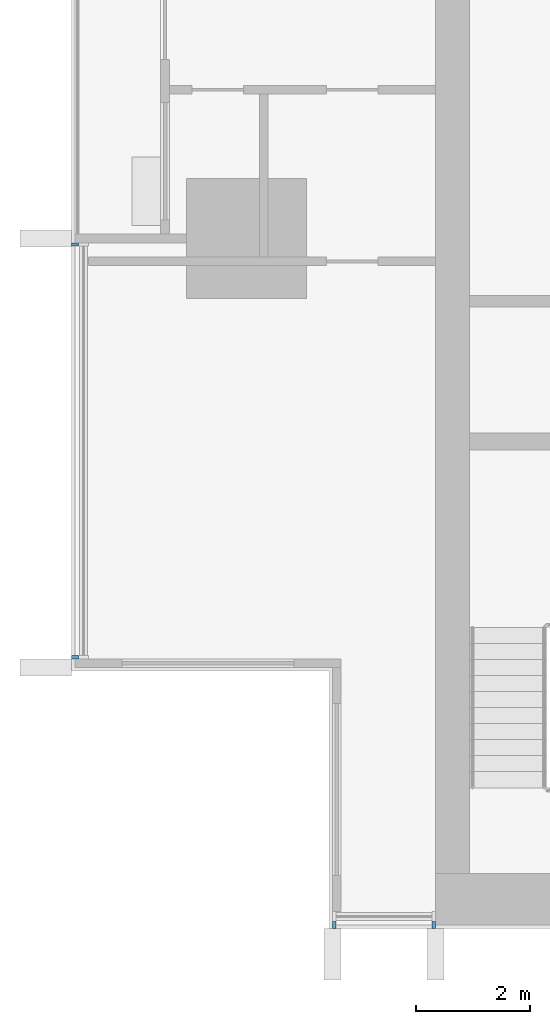
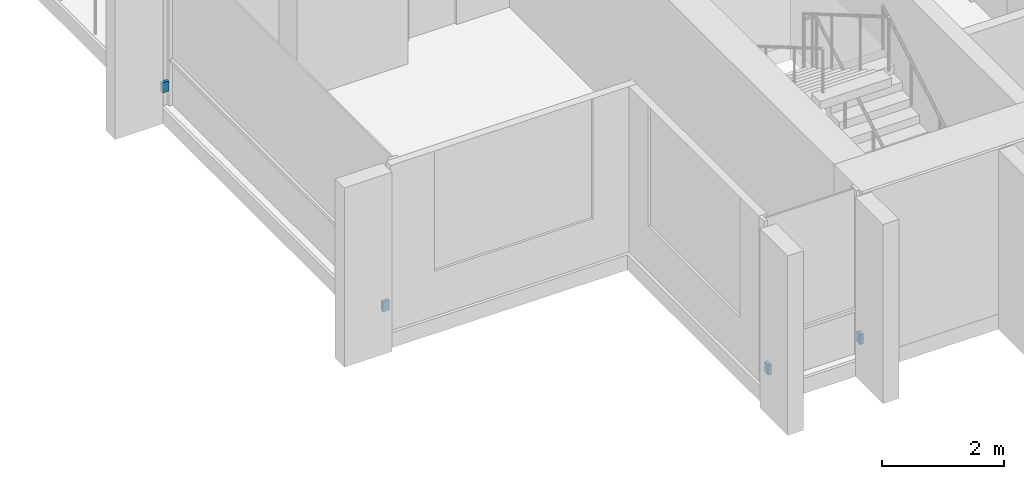
# One storey, part 12 of 16: 4 discrete accessories.
"""IFC4 building model written with IfcOpenShell, lengths in metres."""

from ifc_helpers import new_model, si_unit, direction, frame, origin, origin_2d, place, context, subcontext, project, spatial, rectangle, extrude, material, type_object, element, save


model = new_model("IFC4")

# Units and contexts
model_context = context("Model", 3, precision=1e-05, world=origin(), true_north=direction((0.0, 1.0)))
body_context = subcontext(model_context, "Body", "Model", "MODEL_VIEW")
ifc_project = project(units=[si_unit("LENGTHUNIT", "METRE"), si_unit("AREAUNIT", "SQUARE_METRE"), si_unit("VOLUMEUNIT", "CUBIC_METRE"), si_unit("PLANEANGLEUNIT", "RADIAN"), si_unit("MASSUNIT", "GRAM", prefix="KILO")], contexts=[model_context])

# Site, building, storey
site_placement = place(None, origin())
site = spatial("IfcSite", under=ifc_project, at=site_placement, CompositionType="ELEMENT")
building_placement = place(site_placement, origin())
building = spatial("IfcBuilding", under=site, at=building_placement, Name="Finial Court Residences", CompositionType="ELEMENT")
storey_placement = place(building_placement, frame((0.0, 0.0, 215.89990234375)))
storey = spatial("IfcBuildingStorey", under=building, at=storey_placement, Name="L54", CompositionType="ELEMENT", Elevation=215.89990234375)

# Discrete accessories
ifc_material = material(Name="Stainless steel 316", Category="steel")
discrete_accessory_type = type_object("IfcDiscreteAccessoryType", Name="Fin bracket, stainless steel 60 x 122 x 200", PredefinedType="BRACKET", material=ifc_material)
for number, where, z_axis, x_axis, name in (
    (1, (-14.969970703125, -25.498779296875, 0.30029296875), (0.0, 0.0, 1.0), (1.0, 0.0, 0.0), "E-L54-FIN-S13-BRK"),
    (2, (-13.22998046875, -25.498779296875, 0.30029296875), (0.0, 0.0, 1.0), (1.0, 0.0, 0.0), "E-L54-FIN-S14-BRK"),
):
    element("IfcDiscreteAccessory", number, at=place(storey_placement, frame(where, z_axis=z_axis, x_axis=x_axis)), inside=storey, type_object=discrete_accessory_type, Name=name, PredefinedType="BRACKET", context=body_context, shape_type="SweptSolid", body=[
        extrude(rectangle(XDim=0.06005859375, YDim=0.12255859375, at=origin_2d()), origin(), (0.0, 0.0, 1.0), 0.199951171875),
    ])
for number, where, z_axis, x_axis, name in (
    (3, (-19.498779296875, -20.820068359375, 0.30029296875), (0.0, 0.0, 1.0), (1.0, 0.0, 0.0), "E-L54-FIN-W21-BRK"),
    (4, (-19.498779296875, -13.60498046875, 0.30029296875), (0.0, 0.0, 1.0), (1.0, 0.0, 0.0), "E-L54-FIN-W22-BRK"),
):
    element("IfcDiscreteAccessory", number, at=place(storey_placement, frame(where, z_axis=z_axis, x_axis=x_axis)), inside=storey, type_object=discrete_accessory_type, Name=name, PredefinedType="BRACKET", context=body_context, shape_type="SweptSolid", body=[
        extrude(rectangle(XDim=0.12255859375, YDim=0.06005859375, at=origin_2d()), origin(), (0.0, 0.0, 1.0), 0.199951171875),
    ])

save(model, "model.ifc")
